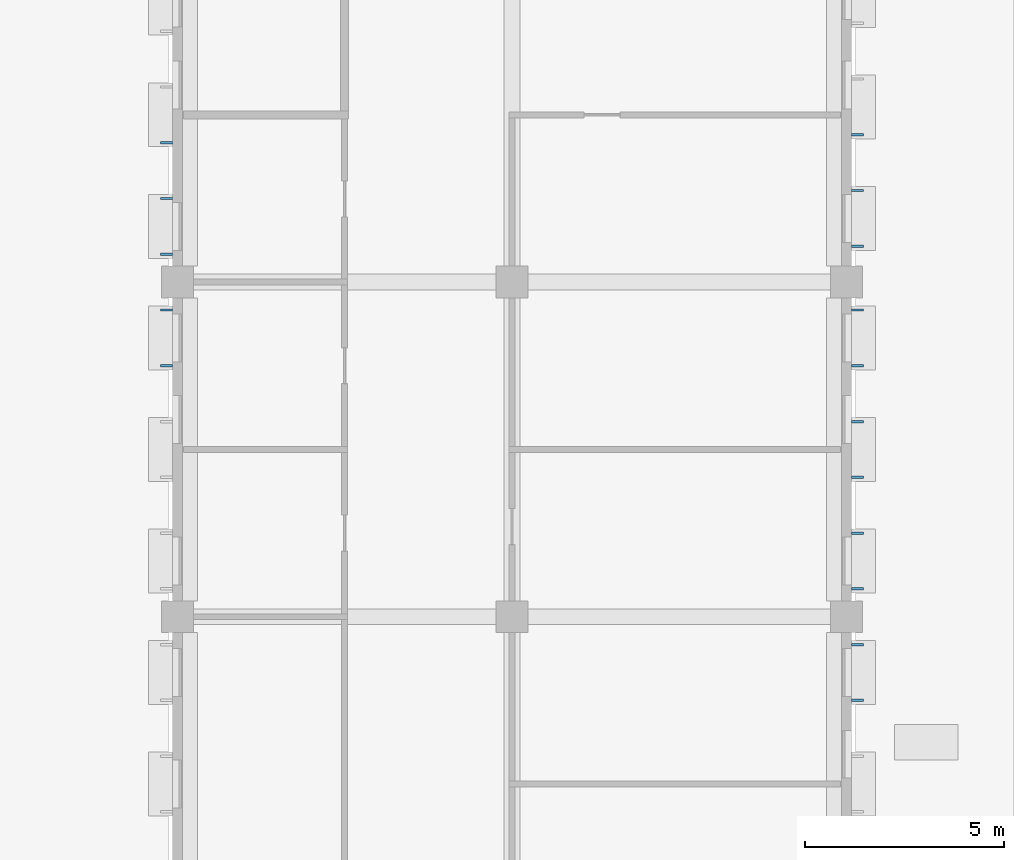
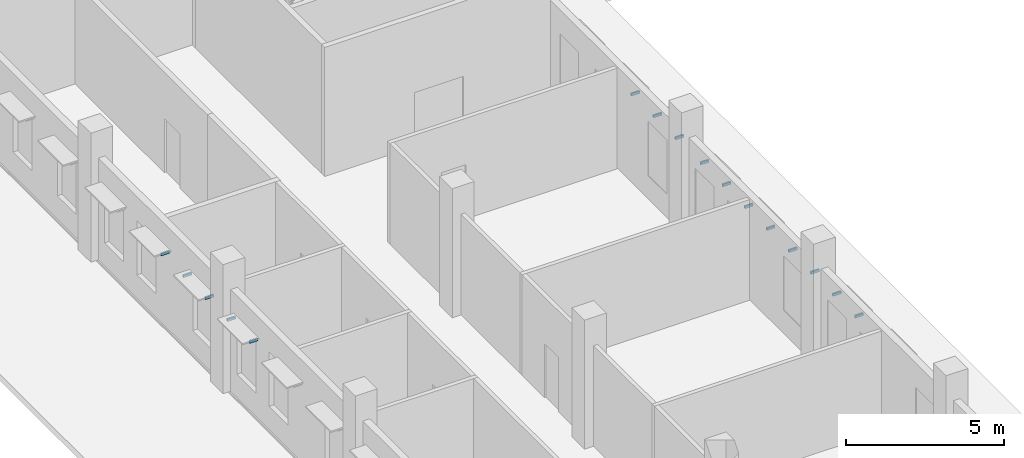
# One storey, part 48 of 101: 16 discrete accessories.
"""IFC4 building model written with IfcOpenShell, lengths in metres."""

from ifc_helpers import new_model, si_unit, direction, frame, origin, origin_2d, place, context, subcontext, project, spatial, rectangle, extrude, material, type_object, element, save


model = new_model("IFC4")

# Units and contexts
model_context = context("Model", 3, precision=1e-05, world=origin(), true_north=direction((0.0, 1.0)))
body_context = subcontext(model_context, "Body", "Model", "MODEL_VIEW")
ifc_project = project(units=[si_unit("LENGTHUNIT", "METRE"), si_unit("AREAUNIT", "SQUARE_METRE"), si_unit("VOLUMEUNIT", "CUBIC_METRE"), si_unit("PLANEANGLEUNIT", "RADIAN"), si_unit("MASSUNIT", "GRAM", prefix="KILO")], contexts=[model_context])

# Site, building, storey
site_placement = place(None, origin())
site = spatial("IfcSite", under=ifc_project, at=site_placement, CompositionType="ELEMENT")
building_placement = place(site_placement, origin())
building = spatial("IfcBuilding", under=site, at=building_placement, Name="Almond Square Museum", CompositionType="ELEMENT")
storey_placement = place(building_placement, frame((0.0, 0.0, 5.5)))
storey = spatial("IfcBuildingStorey", under=building, at=storey_placement, Name="L01", CompositionType="ELEMENT", Elevation=5.5)

# Discrete accessories
ifc_material = material(Name="Stainless steel", Category="steel")
discrete_accessory_type = type_object("IfcDiscreteAccessoryType", Name="Sun-shade blade bracket", PredefinedType="BRACKET", material=ifc_material)
for number, where, z_axis, x_axis, name in (
    (1, (23.072998046875, 48.300048828125, 2.9970703125), (0.0, 0.0, 1.0), (1.0, 0.0, 0.0), "Bracket sun-shade blade"),
    (2, (23.072998046875, 49.699951171875, 2.9970703125), (0.0, 0.0, 1.0), (1.0, 0.0, 0.0), "Bracket sun-shade blade"),
    (3, (23.072998046875, 51.10009765625, 2.9970703125), (0.0, 0.0, 1.0), (1.0, 0.0, 0.0), "Bracket sun-shade blade"),
    (4, (23.072998046875, 52.5, 2.9970703125), (0.0, 0.0, 1.0), (1.0, 0.0, 0.0), "Bracket sun-shade blade"),
    (5, (23.072998046875, 53.89990234375, 2.9970703125), (0.0, 0.0, 1.0), (1.0, 0.0, 0.0), "Bracket sun-shade blade"),
    (6, (23.072998046875, 55.300048828125, 2.9970703125), (0.0, 0.0, 1.0), (1.0, 0.0, 0.0), "Bracket sun-shade blade"),
    (7, (23.072998046875, 56.699951171875, 2.9970703125), (0.0, 0.0, 1.0), (1.0, 0.0, 0.0), "Bracket sun-shade blade"),
    (8, (23.072998046875, 58.10009765625, 2.9970703125), (0.0, 0.0, 1.0), (1.0, 0.0, 0.0), "Bracket sun-shade blade"),
    (9, (23.072998046875, 59.699951171875, 2.9970703125), (0.0, 0.0, 1.0), (1.0, 0.0, 0.0), "Bracket sun-shade blade"),
    (10, (23.072998046875, 61.10009765625, 2.9970703125), (0.0, 0.0, 1.0), (1.0, 0.0, 0.0), "Bracket sun-shade blade"),
    (11, (23.072998046875, 62.5, 2.9970703125), (0.0, 0.0, 1.0), (1.0, 0.0, 0.0), "Bracket sun-shade blade"),
    (12, (5.72705078125, 59.5, 2.9970703125), (0.0, 0.0, 1.0), (1.0, 0.0, 0.0), "Bracket sun-shade blade"),
    (13, (5.72705078125, 60.89990234375, 2.9970703125), (0.0, 0.0, 1.0), (1.0, 0.0, 0.0), "Bracket sun-shade blade"),
    (14, (5.72705078125, 62.300048828125, 2.9970703125), (0.0, 0.0, 1.0), (1.0, 0.0, 0.0), "Bracket sun-shade blade"),
    (15, (5.72705078125, 56.699951171875, 2.9970703125), (0.0, 0.0, 1.0), (1.0, 0.0, 0.0), "Bracket sun-shade blade"),
    (16, (5.72705078125, 58.10009765625, 2.9970703125), (0.0, 0.0, 1.0), (1.0, 0.0, 0.0), "Bracket sun-shade blade"),
):
    element("IfcDiscreteAccessory", number, at=place(storey_placement, frame(where, z_axis=z_axis, x_axis=x_axis)), inside=storey, type_object=discrete_accessory_type, Name=name, PredefinedType="BRACKET", context=body_context, shape_type="SweptSolid", body=[
        extrude(rectangle(XDim=0.300048828125, YDim=0.06005859375, at=origin_2d()), origin(), (0.0, 0.0, 1.0), 0.10009765625),
    ])

save(model, "model.ifc")
